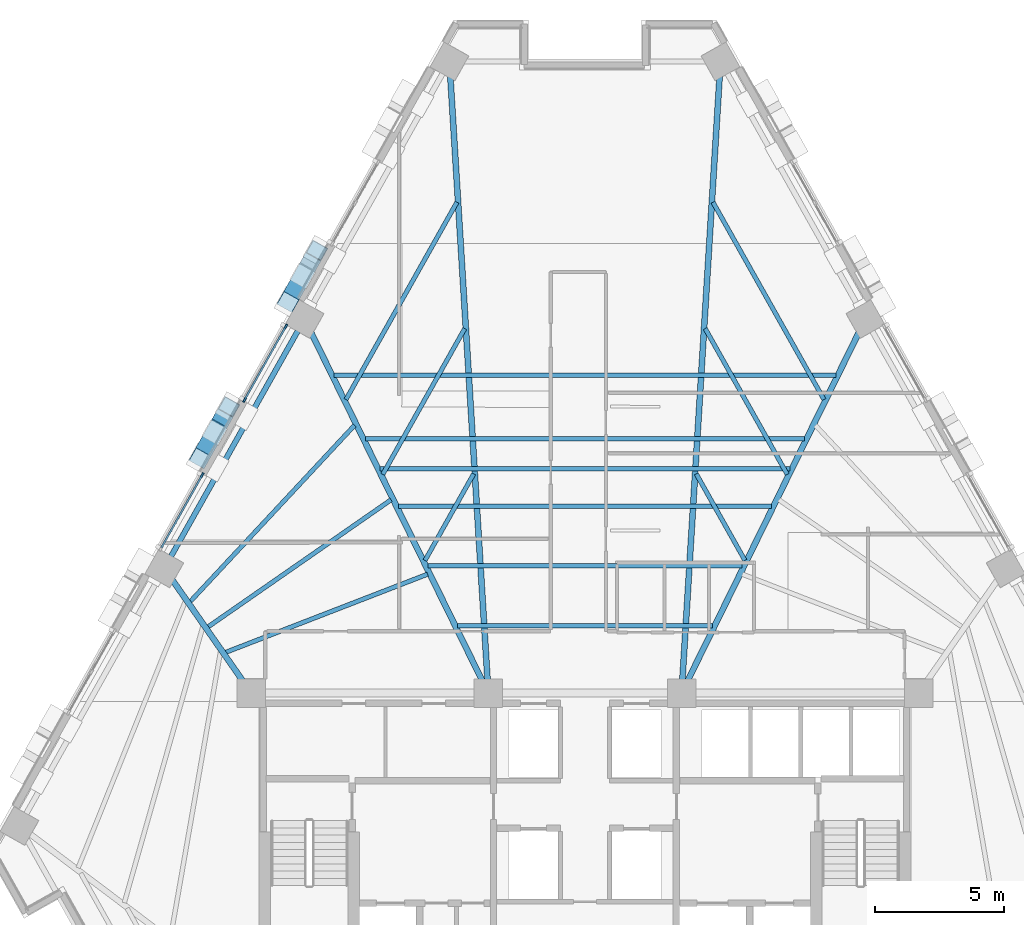
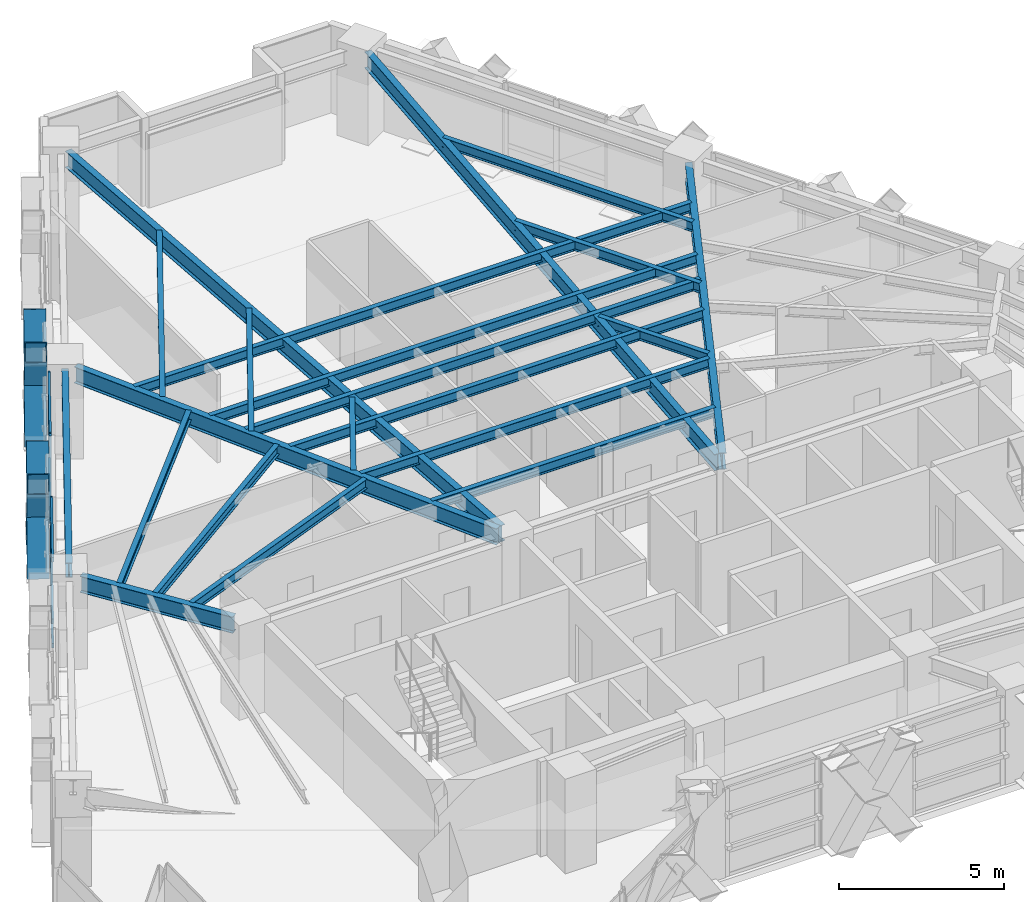
# One storey, part 3 of 14: 21 beams, 14 members, 2 elements without a shape of their own.
"""IFC4 building model written with IfcOpenShell, lengths in metres."""

from ifc_helpers import new_model, si_unit, direction, frame, origin, origin_2d, place, context, subcontext, project, spatial, rectangle, hollow_rectangle, i_section, extrude, material, material_profile, profile_set, type_object, element, aggregate, save


model = new_model("IFC4")

# Units and contexts
model_context = context("Model", 3, precision=1e-05, world=origin(), true_north=direction((0.0, 1.0)))
body_context = subcontext(model_context, "Body", "Model", "MODEL_VIEW")
ifc_project = project(units=[si_unit("LENGTHUNIT", "METRE"), si_unit("AREAUNIT", "SQUARE_METRE"), si_unit("VOLUMEUNIT", "CUBIC_METRE"), si_unit("PLANEANGLEUNIT", "RADIAN"), si_unit("MASSUNIT", "GRAM", prefix="KILO")], contexts=[model_context])

# Site, building, storey
site_placement = place(None, origin())
site = spatial("IfcSite", under=ifc_project, at=site_placement, CompositionType="ELEMENT")
building_placement = place(site_placement, origin())
building = spatial("IfcBuilding", under=site, at=building_placement, Name="Quenlor Broadcast Tower", CompositionType="ELEMENT")
storey_placement = place(building_placement, frame((0.0, 0.0, 102.0)))
storey = spatial("IfcBuildingStorey", under=building, at=storey_placement, Name="L27", CompositionType="ELEMENT", Elevation=102.0)

# Curtain wall, member
ifc_material_1 = material(Name="Architectural Terracotta and Low-E Glazing", Category="masonry")
curtain_wall_type = type_object("IfcCurtainWallType", Name="Unitised Terracotta Curtain Wall System Z2", PredefinedType="NOTDEFINED", material=ifc_material_1)
curtain_wall_1_placement = place(storey_placement, origin())
curtain_wall_1 = element("IfcCurtainWall", 1, at=curtain_wall_1_placement, inside=storey, type_object=curtain_wall_type, Name="L27 Curtain Wall CW2 (L27-NW-G1)", PredefinedType="NOTDEFINED")
ifc_material_2 = material(Name="Aluminium 6063-T6", Category="aluminium")
ifc_material_profile_1 = material_profile(ifc_material_2, rectangle(XDim=0.074951171875, YDim=0.199951171875, at=origin_2d()))
ifc_profile_set_1 = profile_set([ifc_material_profile_1], Name="Aluminium 6063-T6 MULL75x200")
member_type_1 = type_object("IfcMemberType", Name="CW2 Aluminium Mullion MULL_CW2", PredefinedType="MULLION", material=ifc_profile_set_1)
member_1_placement = place(storey_placement, frame((-14.857177734375, 3.660888671875, 0.0), z_axis=(0.0, 0.0, 1.0), x_axis=(-0.871575537123, 0.490261239636, 0.0)))
member_1 = element("IfcMember", 2, at=member_1_placement, type_object=member_type_1, Name="CW2 mullion 2", PredefinedType="MULLION", context=body_context, shape_type="SweptSolid", body=[
    extrude(rectangle(XDim=0.074951171875, YDim=0.199951171875, at=origin_2d()), origin(), (0.0, 0.0, 1.0), 3.25),
])

# Curtain wall, members
curtain_wall_2_placement = place(storey_placement, origin())
curtain_wall_2 = element("IfcCurtainWall", 3, at=curtain_wall_2_placement, inside=storey, type_object=curtain_wall_type, Name="L27 Curtain Wall CW2 (L27-NW-G2)", PredefinedType="NOTDEFINED")
member_2_placement = place(storey_placement, frame((-13.2138671875, 6.582275390625, 0.0), z_axis=(0.0, 0.0, 1.0), x_axis=(-0.871575537123, 0.490261239636, 0.0)))
member_2 = element("IfcMember", 4, at=member_2_placement, type_object=member_type_1, Name="CW2 mullion 1", PredefinedType="MULLION", context=body_context, shape_type="SweptSolid", body=[
    extrude(rectangle(XDim=0.074951171875, YDim=0.199951171875, at=origin_2d()), origin(), (0.0, 0.0, 1.0), 3.25),
])
member_3_placement = place(storey_placement, frame((-11.611572265625, 9.430419921875, 0.0), z_axis=(0.0, 0.0, 1.0), x_axis=(-0.871575537123, 0.490261239636, 0.0)))
member_3 = element("IfcMember", 5, at=member_3_placement, type_object=member_type_1, Name="CW2 mullion 2", PredefinedType="MULLION", context=body_context, shape_type="SweptSolid", body=[
    extrude(rectangle(XDim=0.074951171875, YDim=0.199951171875, at=origin_2d()), origin(), (0.0, 0.0, 1.0), 3.25),
])

# Member
ifc_material_3 = material(Name="Aluminium 6063-T6", Category="aluminium")
ifc_material_profile_2 = material_profile(ifc_material_3, rectangle(XDim=0.074951171875, YDim=0.1650390625, at=origin_2d()))
ifc_profile_set_2 = profile_set([ifc_material_profile_2], Name="Aluminium 6063-T6 TRAN75x165")
member_type_2 = type_object("IfcMemberType", Name="CW2 Aluminium Transom TRAN_CW2", PredefinedType="USERDEFINED", material=ifc_profile_set_2)
member_4_placement = place(storey_placement, frame((-16.44091796875, 0.845458984375, 0.03759765625), z_axis=(0.490297543358, 0.871555115283, 0.0), x_axis=(-0.871555115283, 0.490297543358, 0.0)))
member_4 = element("IfcMember", 6, at=member_4_placement, type_object=member_type_2, Name="CW2 transom 1.1", ObjectType="TRANSOM", PredefinedType="USERDEFINED", context=body_context, shape_type="SweptSolid", body=[
    extrude(rectangle(XDim=0.074951171875, YDim=0.1650390625, at=origin_2d()), origin(), (0.0, 0.0, 1.0), 3.19287109375),
])

member_5_placement = place(storey_placement, frame((-16.44091796875, 0.845458984375, 0.949951171875), z_axis=(0.490297543358, 0.871555115283, 0.0), x_axis=(-0.871555115283, 0.490297543358, 0.0)))
member_5 = element("IfcMember", 7, at=member_5_placement, type_object=member_type_2, Name="CW2 transom 1.2", ObjectType="TRANSOM", PredefinedType="USERDEFINED", context=body_context, shape_type="SweptSolid", body=[
    extrude(rectangle(XDim=0.074951171875, YDim=0.1650390625, at=origin_2d()), origin(), (0.0, 0.0, 1.0), 3.19287109375),
])

member_6_placement = place(storey_placement, frame((-16.44091796875, 0.845458984375, 3.21240234375), z_axis=(0.490297543358, 0.871555115283, 0.0), x_axis=(-0.871555115283, 0.490297543358, 0.0)))
member_6 = element("IfcMember", 8, at=member_6_placement, type_object=member_type_2, Name="CW2 transom 1.3", ObjectType="TRANSOM", PredefinedType="USERDEFINED", context=body_context, shape_type="SweptSolid", body=[
    extrude(rectangle(XDim=0.074951171875, YDim=0.1650390625, at=origin_2d()), origin(), (0.0, 0.0, 1.0), 3.19287109375),
])

aggregate(curtain_wall_1, [member_1, member_4, member_5, member_6])

member_7_placement = place(storey_placement, frame((-13.1953125, 6.614990234375, 0.03759765625), z_axis=(0.490206784037, 0.871606166158, 0.0), x_axis=(-0.871606166158, 0.490206784037, 0.0)))
member_7 = element("IfcMember", 9, at=member_7_placement, type_object=member_type_2, Name="CW2 transom 1.1", ObjectType="TRANSOM", PredefinedType="USERDEFINED", context=body_context, shape_type="SweptSolid", body=[
    extrude(rectangle(XDim=0.074951171875, YDim=0.1650390625, at=origin_2d()), origin(), (0.0, 0.0, 1.0), 3.19287109375),
])

member_8_placement = place(storey_placement, frame((-13.1953125, 6.614990234375, 0.949951171875), z_axis=(0.490206784037, 0.871606166158, 0.0), x_axis=(-0.871606166158, 0.490206784037, 0.0)))
member_8 = element("IfcMember", 10, at=member_8_placement, type_object=member_type_2, Name="CW2 transom 1.2", ObjectType="TRANSOM", PredefinedType="USERDEFINED", context=body_context, shape_type="SweptSolid", body=[
    extrude(rectangle(XDim=0.074951171875, YDim=0.1650390625, at=origin_2d()), origin(), (0.0, 0.0, 1.0), 3.19287109375),
])

member_9_placement = place(storey_placement, frame((-13.1953125, 6.614990234375, 3.21240234375), z_axis=(0.490206784037, 0.871606166158, 0.0), x_axis=(-0.871606166158, 0.490206784037, 0.0)))
member_9 = element("IfcMember", 11, at=member_9_placement, type_object=member_type_2, Name="CW2 transom 1.3", ObjectType="TRANSOM", PredefinedType="USERDEFINED", context=body_context, shape_type="SweptSolid", body=[
    extrude(rectangle(XDim=0.074951171875, YDim=0.1650390625, at=origin_2d()), origin(), (0.0, 0.0, 1.0), 3.19287109375),
])

aggregate(curtain_wall_2, [member_2, member_3, member_7, member_8, member_9])

# Members
ifc_material_4 = material(Name="Steel S355", Category="steel")
ifc_material_profile_3 = material_profile(ifc_material_4, hollow_rectangle(XDim=0.679931640625, YDim=0.679931640625, WallThickness=0.030029296875, at=origin_2d()))
ifc_profile_set_3 = profile_set([ifc_material_profile_3], Name="Steel S355 RHS680x680x30")
member_type_3 = type_object("IfcMemberType", Name="Perimeter Diagonal Lattice Brace Z2 Steel S355 RHS680x30", PredefinedType="BRACE", material=ifc_profile_set_3)
member_10_placement = place(storey_placement, frame((-14.94189453125, 4.316162109375, -0.1201171875), z_axis=(0.268642373731, 0.477592925498, 0.83650240439), x_axis=(-0.871578380919, 0.490256183964, 0.0)))
element("IfcMember", 12, at=member_10_placement, inside=storey, type_object=member_type_3, Name="L27 Perimeter Diamond Lattice NW-C3XA", PredefinedType="BRACE", context=body_context, shape_type="SweptSolid", body=[
    extrude(hollow_rectangle(XDim=0.679931640625, YDim=0.679931640625, WallThickness=0.030029296875, at=origin_2d()), origin(), (0.0, 0.0, 1.0), 4.18408203125),
])
member_11_placement = place(storey_placement, frame((-13.81787109375, 6.314453125, -0.1201171875), z_axis=(-0.268503779961, -0.477634562182, 0.836523128883), x_axis=(0.871704696361, -0.490031552394, 0.0)))
element("IfcMember", 13, at=member_11_placement, inside=storey, type_object=member_type_3, Name="L27 Perimeter Diamond Lattice NW-C3XB1", PredefinedType="BRACE", context=body_context, shape_type="SweptSolid", body=[
    extrude(hollow_rectangle(XDim=0.679931640625, YDim=0.679931640625, WallThickness=0.030029296875, at=origin_2d()), origin(), (0.0, 0.0, 1.0), 1.84228515625),
])
member_12_placement = place(storey_placement, frame((-14.447021484375, 5.19580078125, 1.839111328125), z_axis=(-0.268673537114, -0.477568206326, 0.836506508499), x_axis=(0.871543234879, -0.490318661421, 0.0)))
element("IfcMember", 14, at=member_12_placement, inside=storey, type_object=member_type_3, Name="L27 Perimeter Diamond Lattice NW-C3XB2", PredefinedType="BRACE", context=body_context, shape_type="SweptSolid", body=[
    extrude(hollow_rectangle(XDim=0.679931640625, YDim=0.679931640625, WallThickness=0.030029296875, at=origin_2d()), origin(), (0.0, 0.0, 1.0), 1.841796875),
])
member_13_placement = place(storey_placement, frame((-11.52880859375, 10.3837890625, -0.1201171875), z_axis=(0.268642373731, 0.477592925498, 0.83650240439), x_axis=(-0.871578380919, 0.490256183964, 0.0)))
element("IfcMember", 15, at=member_13_placement, inside=storey, type_object=member_type_3, Name="L27 Perimeter Diamond Lattice NW-C4XA", PredefinedType="BRACE", context=body_context, shape_type="SweptSolid", body=[
    extrude(hollow_rectangle(XDim=0.679931640625, YDim=0.679931640625, WallThickness=0.030029296875, at=origin_2d()), origin(), (0.0, 0.0, 1.0), 4.18408203125),
])
member_14_placement = place(storey_placement, frame((-11.033935546875, 11.263671875, 1.839111328125), z_axis=(-0.268656529223, -0.477670513725, 0.836453554971), x_axis=(0.871601370751, -0.490215310353, 0.0)))
element("IfcMember", 16, at=member_14_placement, inside=storey, type_object=member_type_3, Name="L27 Perimeter Diamond Lattice NW-C4XB2", PredefinedType="BRACE", context=body_context, shape_type="SweptSolid", body=[
    extrude(hollow_rectangle(XDim=0.679931640625, YDim=0.679931640625, WallThickness=0.030029296875, at=origin_2d()), origin(), (0.0, 0.0, 1.0), 1.842041015625),
])

# Beams
ifc_material_5 = material(Name="Steel S355", Category="steel")
ifc_material_profile_4 = material_profile(ifc_material_5, i_section(OverallWidth=0.208984375, OverallDepth=0.5283203125, WebThickness=0.009521484375, FlangeThickness=0.01318359375, FilletRadius=0.013916015625, at=origin_2d()))
ifc_profile_set_4 = profile_set([ifc_material_profile_4], Name="Steel S355 530UB82.0")
beam_type_1 = type_object("IfcBeamType", Name="Perimeter Spandrel Beam Z2 Steel S355 530UB82.0", PredefinedType="SPANDREL", material=ifc_profile_set_4)
beam_1_placement = place(storey_placement, frame((-11.087890625, 9.3623046875, 2.98583984375), z_axis=(-0.49026462139, -0.871573634878, 0.0), x_axis=(0.871573634878, -0.49026462139, 0.0)))
element("IfcBeam", 17, at=beam_1_placement, inside=storey, type_object=beam_type_1, Name="L27 Spandrel Beam NW2-NW3", PredefinedType="SPANDREL", context=body_context, shape_type="SweptSolid", body=[
    extrude(i_section(OverallWidth=0.208984375, OverallDepth=0.5283203125, WebThickness=0.009521484375, FlangeThickness=0.01318359375, FilletRadius=0.013916015625, at=origin_2d()), origin(), (0.0, 0.0, 1.0), 10.28271484375),
])
ifc_material_6 = material(Name="Steel S355", Category="steel")
ifc_material_profile_5 = material_profile(ifc_material_6, i_section(OverallWidth=0.172119140625, OverallDepth=0.358642578125, WebThickness=0.008056640625, FlangeThickness=0.012939453125, FilletRadius=0.011474609375, at=origin_2d()))
ifc_profile_set_5 = profile_set([ifc_material_profile_5], Name="Steel S355 360UB56.7")
beam_type_2 = type_object("IfcBeamType", Name="Tower Composite Joist Z2-Z3 Steel S355 360UB56.7", PredefinedType="JOIST", material=ifc_profile_set_5)
beam_2_placement = place(storey_placement, frame((-4.95458984375, -2.1865234375, 3.07080078125), z_axis=(1.0, 0.0, 0.0), x_axis=(0.0, 1.0, 0.0)))
element("IfcBeam", 18, at=beam_2_placement, inside=storey, type_object=beam_type_2, Name="L27 Secondary Composite Joist 1", PredefinedType="JOIST", context=body_context, shape_type="SweptSolid", body=[
    extrude(i_section(OverallWidth=0.172119140625, OverallDepth=0.358642578125, WebThickness=0.008056640625, FlangeThickness=0.012939453125, FilletRadius=0.011474609375, at=origin_2d()), origin(), (0.0, 0.0, 1.0), 9.9091796875),
])
beam_3_placement = place(storey_placement, frame((-7.9521484375, 3.911865234375, 3.07080078125), z_axis=(1.0, 0.0, 0.0), x_axis=(0.0, 1.0, 0.0)))
element("IfcBeam", 19, at=beam_3_placement, inside=storey, type_object=beam_type_2, Name="L27 Secondary Composite Joist 2", PredefinedType="JOIST", context=body_context, shape_type="SweptSolid", body=[
    extrude(i_section(OverallWidth=0.172119140625, OverallDepth=0.358642578125, WebThickness=0.008056640625, FlangeThickness=0.012939453125, FilletRadius=0.011474609375, at=origin_2d()), origin(), (0.0, 0.0, 1.0), 15.904296875),
])
beam_4_placement = place(storey_placement, frame((-6.096435546875, 0.13671875, 3.07080078125), z_axis=(1.0, 0.0, 0.0), x_axis=(0.0, 1.0, 0.0)))
element("IfcBeam", 20, at=beam_4_placement, inside=storey, type_object=beam_type_2, Name="L27 Secondary Composite Joist 3", PredefinedType="JOIST", context=body_context, shape_type="SweptSolid", body=[
    extrude(i_section(OverallWidth=0.172119140625, OverallDepth=0.358642578125, WebThickness=0.008056640625, FlangeThickness=0.012939453125, FilletRadius=0.011474609375, at=origin_2d()), origin(), (0.0, 0.0, 1.0), 12.19287109375),
])
beam_5_placement = place(storey_placement, frame((-7.238525390625, 2.4599609375, 3.07080078125), z_axis=(1.0, 0.0, 0.0), x_axis=(0.0, 1.0, 0.0)))
element("IfcBeam", 21, at=beam_5_placement, inside=storey, type_object=beam_type_2, Name="L27 Secondary Composite Joist 4", PredefinedType="JOIST", context=body_context, shape_type="SweptSolid", body=[
    extrude(i_section(OverallWidth=0.172119140625, OverallDepth=0.358642578125, WebThickness=0.008056640625, FlangeThickness=0.012939453125, FilletRadius=0.011474609375, at=origin_2d()), origin(), (0.0, 0.0, 1.0), 14.47705078125),
])
beam_6_placement = place(storey_placement, frame((-8.523193359375, 5.073486328125, 3.07080078125), z_axis=(1.0, 0.0, 0.0), x_axis=(0.0, 1.0, 0.0)))
element("IfcBeam", 22, at=beam_6_placement, inside=storey, type_object=beam_type_2, Name="L27 Secondary Composite Joist 5", PredefinedType="JOIST", context=body_context, shape_type="SweptSolid", body=[
    extrude(i_section(OverallWidth=0.172119140625, OverallDepth=0.358642578125, WebThickness=0.008056640625, FlangeThickness=0.012939453125, FilletRadius=0.011474609375, at=origin_2d()), origin(), (0.0, 0.0, 1.0), 17.04638671875),
])
beam_7_placement = place(storey_placement, frame((-9.736328125, 7.541748046875, 3.07080078125), z_axis=(1.0, 0.0, 0.0), x_axis=(0.0, 1.0, 0.0)))
element("IfcBeam", 23, at=beam_7_placement, inside=storey, type_object=beam_type_2, Name="L27 Secondary Composite Joist 6", PredefinedType="JOIST", context=body_context, shape_type="SweptSolid", body=[
    extrude(i_section(OverallWidth=0.172119140625, OverallDepth=0.358642578125, WebThickness=0.008056640625, FlangeThickness=0.012939453125, FilletRadius=0.011474609375, at=origin_2d()), origin(), (0.0, 0.0, 1.0), 19.47265625),
])
beam_8_placement = place(storey_placement, frame((-13.95703125, -3.221435546875, 3.07080078125), z_axis=(0.932542579586, 0.361060018916, 0.0), x_axis=(-0.361060018916, 0.932542579586, 0.0)))
element("IfcBeam", 24, at=beam_8_placement, inside=storey, type_object=beam_type_2, Name="L27 Secondary Composite Joist 7", PredefinedType="JOIST", context=body_context, shape_type="SweptSolid", body=[
    extrude(i_section(OverallWidth=0.172119140625, OverallDepth=0.358642578125, WebThickness=0.008056640625, FlangeThickness=0.012939453125, FilletRadius=0.011474609375, at=origin_2d()), origin(), (0.0, 0.0, 1.0), 8.416259765625),
])
beam_9_placement = place(storey_placement, frame((-14.641845703125, -2.236083984375, 3.07080078125), z_axis=(0.821385737622, 0.570373097219, 0.0), x_axis=(-0.570373097219, 0.821385737622, 0.0)))
element("IfcBeam", 25, at=beam_9_placement, inside=storey, type_object=beam_type_2, Name="L27 Secondary Composite Joist 8", PredefinedType="JOIST", context=body_context, shape_type="SweptSolid", body=[
    extrude(i_section(OverallWidth=0.172119140625, OverallDepth=0.358642578125, WebThickness=0.008056640625, FlangeThickness=0.012939453125, FilletRadius=0.011474609375, at=origin_2d()), origin(), (0.0, 0.0, 1.0), 8.662109375),
])
beam_10_placement = place(storey_placement, frame((-15.3291015625, -1.254638671875, 3.07080078125), z_axis=(0.681880655944, 0.73146344478, 0.0), x_axis=(-0.73146344478, 0.681880655944, 0.0)))
element("IfcBeam", 26, at=beam_10_placement, inside=storey, type_object=beam_type_2, Name="L27 Secondary Composite Joist 9", PredefinedType="JOIST", context=body_context, shape_type="SweptSolid", body=[
    extrude(i_section(OverallWidth=0.172119140625, OverallDepth=0.358642578125, WebThickness=0.008056640625, FlangeThickness=0.012939453125, FilletRadius=0.011474609375, at=origin_2d()), origin(), (0.0, 0.0, 1.0), 9.365234375),
])
beam_11_placement = place(storey_placement, frame((-4.318603515625, 3.7119140625, 3.07080078125), z_axis=(-0.49024921379, -0.871582301552, 0.0), x_axis=(0.871582301552, -0.49024921379, 0.0)))
element("IfcBeam", 27, at=beam_11_placement, inside=storey, type_object=beam_type_2, Name="L27 Secondary Composite Joist 25", PredefinedType="JOIST", context=body_context, shape_type="SweptSolid", body=[
    extrude(i_section(OverallWidth=0.172119140625, OverallDepth=0.358642578125, WebThickness=0.008056640625, FlangeThickness=0.012939453125, FilletRadius=0.011474609375, at=origin_2d()), origin(), (0.0, 0.0, 1.0), 3.85546875),
])
beam_12_placement = place(storey_placement, frame((-4.66650390625, 9.351318359375, 3.07080078125), z_axis=(-0.490232680913, -0.871591600789, 0.0), x_axis=(0.871591600789, -0.490232680913, 0.0)))
element("IfcBeam", 28, at=beam_12_placement, inside=storey, type_object=beam_type_2, Name="L27 Secondary Composite Joist 26", PredefinedType="JOIST", context=body_context, shape_type="SweptSolid", body=[
    extrude(i_section(OverallWidth=0.172119140625, OverallDepth=0.358642578125, WebThickness=0.008056640625, FlangeThickness=0.012939453125, FilletRadius=0.011474609375, at=origin_2d()), origin(), (0.0, 0.0, 1.0), 6.494140625),
])
beam_13_placement = place(storey_placement, frame((-4.96875, 14.255126953125, 3.07080078125), z_axis=(-0.490273109583, -0.871568860171, 0.0), x_axis=(0.871568860171, -0.490273109583, 0.0)))
element("IfcBeam", 29, at=beam_13_placement, inside=storey, type_object=beam_type_2, Name="L27 Secondary Composite Joist 27", PredefinedType="JOIST", context=body_context, shape_type="SweptSolid", body=[
    extrude(i_section(OverallWidth=0.172119140625, OverallDepth=0.358642578125, WebThickness=0.008056640625, FlangeThickness=0.012939453125, FilletRadius=0.011474609375, at=origin_2d()), origin(), (0.0, 0.0, 1.0), 8.78857421875),
])
beam_14_placement = place(storey_placement, frame((4.318603515625, 3.7119140625, 3.07080078125), z_axis=(0.49024921379, -0.871582301552, 0.0), x_axis=(0.871582301552, 0.49024921379, 0.0)))
element("IfcBeam", 30, at=beam_14_placement, inside=storey, type_object=beam_type_2, Name="L27 Secondary Composite Joist 28", PredefinedType="JOIST", context=body_context, shape_type="SweptSolid", body=[
    extrude(i_section(OverallWidth=0.172119140625, OverallDepth=0.358642578125, WebThickness=0.008056640625, FlangeThickness=0.012939453125, FilletRadius=0.011474609375, at=origin_2d()), origin(), (0.0, 0.0, 1.0), 3.85546875),
])
beam_15_placement = place(storey_placement, frame((4.66650390625, 9.351318359375, 3.07080078125), z_axis=(0.490232680913, -0.871591600789, 0.0), x_axis=(0.871591600789, 0.490232680913, 0.0)))
element("IfcBeam", 31, at=beam_15_placement, inside=storey, type_object=beam_type_2, Name="L27 Secondary Composite Joist 29", PredefinedType="JOIST", context=body_context, shape_type="SweptSolid", body=[
    extrude(i_section(OverallWidth=0.172119140625, OverallDepth=0.358642578125, WebThickness=0.008056640625, FlangeThickness=0.012939453125, FilletRadius=0.011474609375, at=origin_2d()), origin(), (0.0, 0.0, 1.0), 6.494140625),
])
beam_16_placement = place(storey_placement, frame((4.96875, 14.255126953125, 3.07080078125), z_axis=(0.490273109583, -0.871568860171, 0.0), x_axis=(0.871568860171, 0.490273109583, 0.0)))
element("IfcBeam", 32, at=beam_16_placement, inside=storey, type_object=beam_type_2, Name="L27 Secondary Composite Joist 30", PredefinedType="JOIST", context=body_context, shape_type="SweptSolid", body=[
    extrude(i_section(OverallWidth=0.172119140625, OverallDepth=0.358642578125, WebThickness=0.008056640625, FlangeThickness=0.012939453125, FilletRadius=0.011474609375, at=origin_2d()), origin(), (0.0, 0.0, 1.0), 8.78857421875),
])
ifc_material_7 = material(Name="Steel S355", Category="steel")
ifc_material_profile_6 = material_profile(ifc_material_7, i_section(OverallWidth=0.22802734375, OverallDepth=0.60205078125, WebThickness=0.010498046875, FlangeThickness=0.014892578125, FilletRadius=0.013916015625, at=origin_2d()))
ifc_profile_set_6 = profile_set([ifc_material_profile_6], Name="Steel S355 610UB101")
beam_type_3 = type_object("IfcBeamType", Name="Tower Primary Floor Beam Z2 Steel S355 610UB101", PredefinedType="BEAM", material=ifc_profile_set_6)
beam_17_placement = place(storey_placement, frame((10.7060546875, 9.351806640625, 2.948974609375), z_axis=(-0.441130328176, -0.897443053103, 0.0), x_axis=(0.897443053103, -0.441130328176, 0.0)))
element("IfcBeam", 33, at=beam_17_placement, inside=storey, type_object=beam_type_3, Name="L27 Primary Radial Beam NE3", PredefinedType="BEAM", context=body_context, shape_type="SweptSolid", body=[
    extrude(i_section(OverallWidth=0.22802734375, OverallDepth=0.60205078125, WebThickness=0.010498046875, FlangeThickness=0.014892578125, FilletRadius=0.013916015625, at=origin_2d()), origin(), (0.0, 0.0, 1.0), 15.38916015625),
])
for number, where, z_axis, x_axis, name in (
    (34, (5.237060546875, 19.309814453125, 2.948974609375), (-0.061559977358, -0.998103386022, 0.0), (0.998103386022, -0.061559977358, 0.0), "L27 Primary Radial Beam NE4"),
    (35, (-5.237060546875, 19.309814453125, 2.948974609375), (0.061559977358, -0.998103386022, 0.0), (0.998103386022, 0.061559977358, 0.0), "L27 Primary Radial Beam NW1"),
):
    element("IfcBeam", number, at=place(storey_placement, frame(where, z_axis=z_axis, x_axis=x_axis)), inside=storey, type_object=beam_type_3, Name=name, PredefinedType="BEAM", context=body_context, shape_type="SweptSolid", body=[
        extrude(i_section(OverallWidth=0.22802734375, OverallDepth=0.60205078125, WebThickness=0.010498046875, FlangeThickness=0.014892578125, FilletRadius=0.013916015625, at=origin_2d()), origin(), (0.0, 0.0, 1.0), 23.775634765625),
    ])
beam_18_placement = place(storey_placement, frame((-10.7060546875, 9.351806640625, 2.948974609375), z_axis=(0.441130328176, -0.897443053103, 0.0), x_axis=(0.897443053103, 0.441130328176, 0.0)))
element("IfcBeam", 36, at=beam_18_placement, inside=storey, type_object=beam_type_3, Name="L27 Primary Radial Beam NW2", PredefinedType="BEAM", context=body_context, shape_type="SweptSolid", body=[
    extrude(i_section(OverallWidth=0.22802734375, OverallDepth=0.60205078125, WebThickness=0.010498046875, FlangeThickness=0.014892578125, FilletRadius=0.013916015625, at=origin_2d()), origin(), (0.0, 0.0, 1.0), 15.38916015625),
])
beam_19_placement = place(storey_placement, frame((-16.095458984375, -0.293212890625, 2.948974609375), z_axis=(0.572337599985, -0.820018092266, 0.0), x_axis=(0.820018092266, 0.572337599985, 0.0)))
element("IfcBeam", 37, at=beam_19_placement, inside=storey, type_object=beam_type_3, Name="L27 Primary Radial Beam NW3", PredefinedType="BEAM", context=body_context, shape_type="SweptSolid", body=[
    extrude(i_section(OverallWidth=0.22802734375, OverallDepth=0.60205078125, WebThickness=0.010498046875, FlangeThickness=0.014892578125, FilletRadius=0.013916015625, at=origin_2d()), origin(), (0.0, 0.0, 1.0), 5.11572265625),
])

save(model, "model.ifc")
